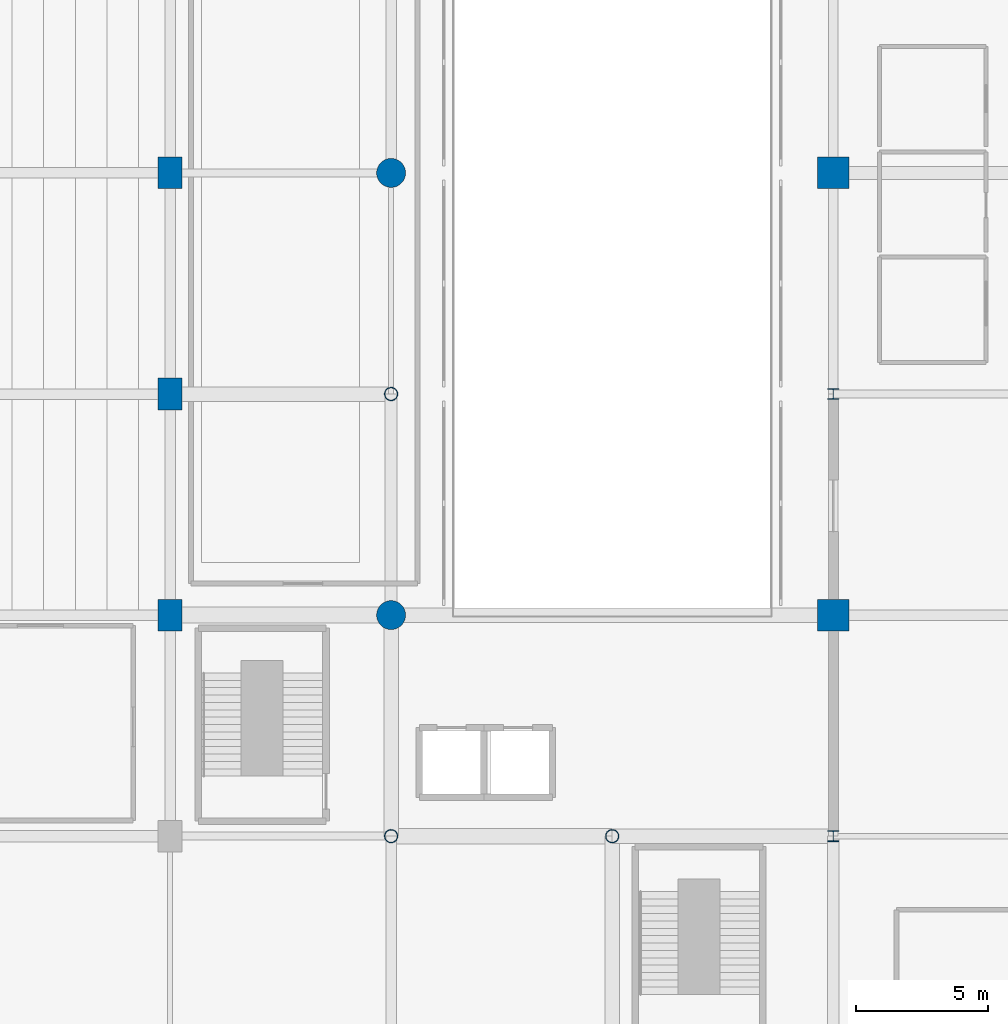
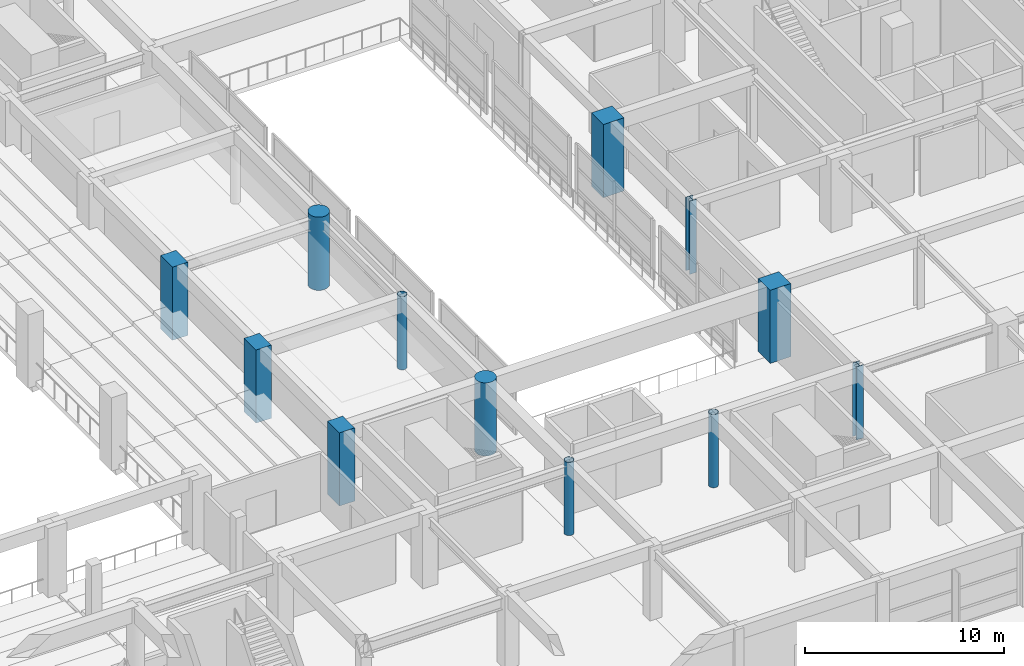
# One storey, part 2 of 60: 12 columns.
"""IFC4 building model written with IfcOpenShell, lengths in metres."""

from ifc_helpers import new_model, si_unit, direction, frame, origin, origin_2d, place, context, subcontext, project, spatial, rectangle, circle, hollow_circle, i_section, extrude, material, material_profile, profile_set, type_object, element, save


model = new_model("IFC4")

# Units and contexts
model_context = context("Model", 3, precision=1e-05, world=origin(), true_north=direction((0.0, 1.0)))
body_context = subcontext(model_context, "Body", "Model", "MODEL_VIEW")
ifc_project = project(units=[si_unit("LENGTHUNIT", "METRE"), si_unit("AREAUNIT", "SQUARE_METRE"), si_unit("VOLUMEUNIT", "CUBIC_METRE"), si_unit("PLANEANGLEUNIT", "RADIAN"), si_unit("MASSUNIT", "GRAM", prefix="KILO")], contexts=[model_context])

# Site, building, storey
site_placement = place(None, origin())
site = spatial("IfcSite", under=ifc_project, at=site_placement, CompositionType="ELEMENT")
building_placement = place(site_placement, origin())
building = spatial("IfcBuilding", under=site, at=building_placement, Name="Xuanlan Plaza Opera House", CompositionType="ELEMENT")
storey_placement = place(building_placement, frame((0.0, 0.0, 9.89990234375)))
storey = spatial("IfcBuildingStorey", under=building, at=storey_placement, Name="L02", CompositionType="ELEMENT", Elevation=9.89990234375)

# Columns
ifc_material_1 = material(Name="Concrete C60", Category="concrete")
ifc_material_profile_1 = material_profile(ifc_material_1, rectangle(XDim=1.199951171875, YDim=1.199951171875, at=origin_2d()), Name="RC-COL 1200x1200")
ifc_profile_set_1 = profile_set([ifc_material_profile_1], Name="Concrete C60")
column_type_1 = type_object("IfcColumnType", Name="STR-COL-C-02", PredefinedType="COLUMN", material=ifc_profile_set_1)
for number, where, z_axis, x_axis, name in (
    (1, (126.0, 42.0, 0.0), (0.0, 0.0, 1.0), (1.0, 0.0, 0.0), "Column L02 16-F"),
    (2, (126.0, 58.800048828125, 0.0), (0.0, 0.0, 1.0), (1.0, 0.0, 0.0), "Column L02 16-H"),
):
    element("IfcColumn", number, at=place(storey_placement, frame(where, z_axis=z_axis, x_axis=x_axis)), inside=storey, type_object=column_type_1, Name=name, PredefinedType="COLUMN", context=body_context, shape_type="SweptSolid", body=[
        extrude(rectangle(XDim=1.199951171875, YDim=1.199951171875, at=origin_2d()), origin(), (0.0, 0.0, 1.0), 4.5),
    ])
ifc_material_2 = material(Name="Concrete C50", Category="concrete")
ifc_material_profile_2 = material_profile(ifc_material_2, rectangle(XDim=0.89990234375, YDim=1.199951171875, at=origin_2d()), Name="RC-COL 900x1200")
ifc_profile_set_2 = profile_set([ifc_material_profile_2], Name="Concrete C50")
column_type_2 = type_object("IfcColumnType", Name="STR-COL-C-10", PredefinedType="COLUMN", material=ifc_profile_set_2)
for number, where, z_axis, x_axis, name in (
    (3, (100.800048828125, 42.0, 0.0), (0.0, 0.0, 1.0), (1.0, 0.0, 0.0), "Column L02 13-F"),
    (4, (100.800048828125, 50.39990234375, 0.0), (0.0, 0.0, 1.0), (1.0, 0.0, 0.0), "Column L02 13-G"),
    (5, (100.800048828125, 58.800048828125, 0.0), (0.0, 0.0, 1.0), (1.0, 0.0, 0.0), "Column L02 13-H"),
):
    element("IfcColumn", number, at=place(storey_placement, frame(where, z_axis=z_axis, x_axis=x_axis)), inside=storey, type_object=column_type_2, Name=name, PredefinedType="COLUMN", context=body_context, shape_type="SweptSolid", body=[
        extrude(rectangle(XDim=0.89990234375, YDim=1.199951171875, at=origin_2d()), origin(), (0.0, 0.0, 1.0), 4.5),
    ])
ifc_material_profile_3 = material_profile(ifc_material_2, circle(Radius=0.550048828125, at=origin_2d()), Name="RC-COL D1100")
ifc_profile_set_3 = profile_set([ifc_material_profile_3], Name="Concrete C50")
column_type_3 = type_object("IfcColumnType", Name="STR-COL-C-11", PredefinedType="COLUMN", material=ifc_profile_set_3)
for number, where, z_axis, x_axis, name in (
    (6, (109.199951171875, 42.0, 0.0), (0.0, 0.0, 1.0), (1.0, 0.0, 0.0), "Column L02 14-F"),
    (7, (109.199951171875, 58.800048828125, 0.0), (0.0, 0.0, 1.0), (1.0, 0.0, 0.0), "Column L02 14-H"),
):
    element("IfcColumn", number, at=place(storey_placement, frame(where, z_axis=z_axis, x_axis=x_axis)), inside=storey, type_object=column_type_3, Name=name, PredefinedType="COLUMN", context=body_context, shape_type="SweptSolid", body=[
        extrude(circle(Radius=0.550048828125, at=origin_2d()), origin(), (0.0, 0.0, 1.0), 4.5),
    ])
ifc_material_3 = material(Name="Steel Q390B", Category="steel")
ifc_material_profile_4 = material_profile(ifc_material_3, i_section(OverallWidth=0.405029296875, OverallDepth=0.4140625, WebThickness=0.01806640625, FlangeThickness=0.028076171875, FilletRadius=0.02197265625, at=origin_2d()), Name="HW 414x405x18x28")
ifc_profile_set_4 = profile_set([ifc_material_profile_4], Name="Steel Q390B")
column_type_4 = type_object("IfcColumnType", Name="STR-COL-C-13", PredefinedType="COLUMN", material=ifc_profile_set_4)
for number, where, z_axis, x_axis, name in (
    (8, (126.0, 33.60009765625, 0.0), (0.0, 0.0, 1.0), (1.0, 0.0, 0.0), "Column L02 16-E"),
    (9, (126.0, 50.39990234375, 0.0), (0.0, 0.0, 1.0), (1.0, 0.0, 0.0), "Column L02 16-G"),
):
    element("IfcColumn", number, at=place(storey_placement, frame(where, z_axis=z_axis, x_axis=x_axis)), inside=storey, type_object=column_type_4, Name=name, PredefinedType="COLUMN", context=body_context, shape_type="SweptSolid", body=[
        extrude(i_section(OverallWidth=0.405029296875, OverallDepth=0.4140625, WebThickness=0.01806640625, FlangeThickness=0.028076171875, FilletRadius=0.02197265625, at=origin_2d()), origin(), (0.0, 0.0, 1.0), 4.5),
    ])
ifc_material_4 = material(Name="Steel Q355B", Category="steel")
ifc_material_profile_5 = material_profile(ifc_material_4, hollow_circle(Radius=0.25390625, WallThickness=0.02001953125, at=origin_2d()), Name="CHS 508x20")
ifc_profile_set_5 = profile_set([ifc_material_profile_5], Name="Steel Q355B")
column_type_5 = type_object("IfcColumnType", Name="STR-COL-C-16", PredefinedType="COLUMN", material=ifc_profile_set_5)
for number, where, z_axis, x_axis, name in (
    (10, (109.199951171875, 33.60009765625, 0.0), (0.0, 0.0, 1.0), (1.0, 0.0, 0.0), "Column L02 14-E"),
    (11, (109.199951171875, 50.39990234375, 0.0), (0.0, 0.0, 1.0), (1.0, 0.0, 0.0), "Column L02 14-G"),
    (12, (117.60009765625, 33.60009765625, 0.0), (0.0, 0.0, 1.0), (1.0, 0.0, 0.0), "Column L02 15-E"),
):
    element("IfcColumn", number, at=place(storey_placement, frame(where, z_axis=z_axis, x_axis=x_axis)), inside=storey, type_object=column_type_5, Name=name, PredefinedType="COLUMN", context=body_context, shape_type="SweptSolid", body=[
        extrude(hollow_circle(Radius=0.25390625, WallThickness=0.02001953125, at=origin_2d()), origin(), (0.0, 0.0, 1.0), 4.5),
    ])

save(model, "model.ifc")
